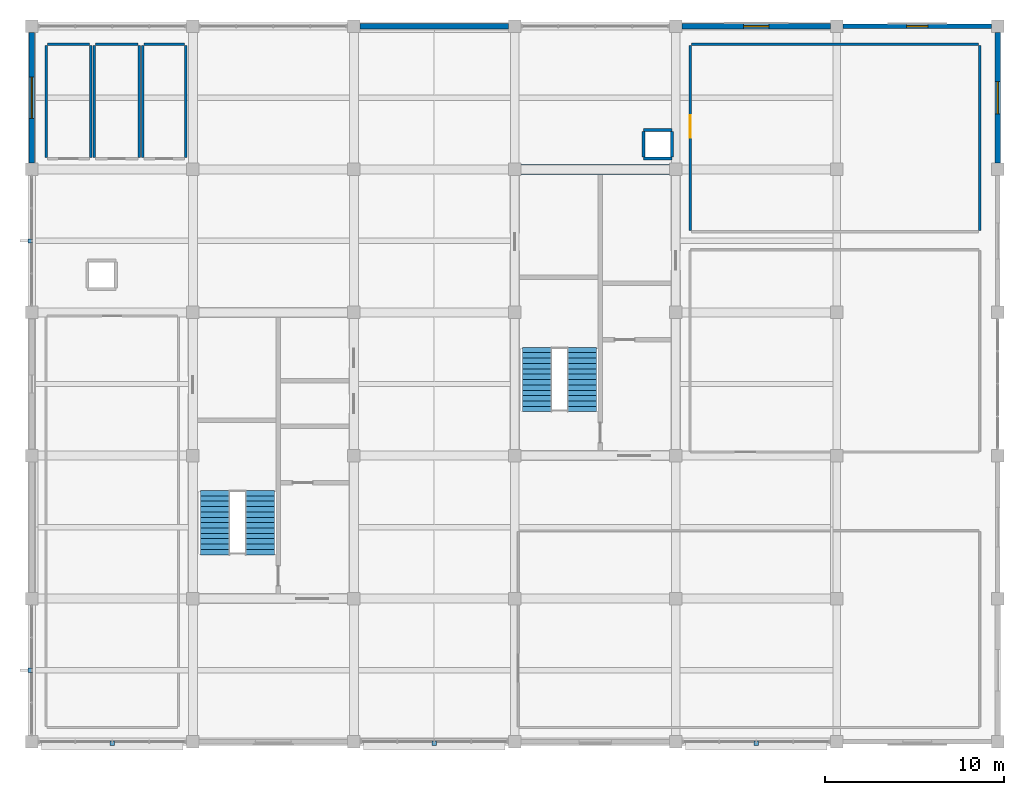
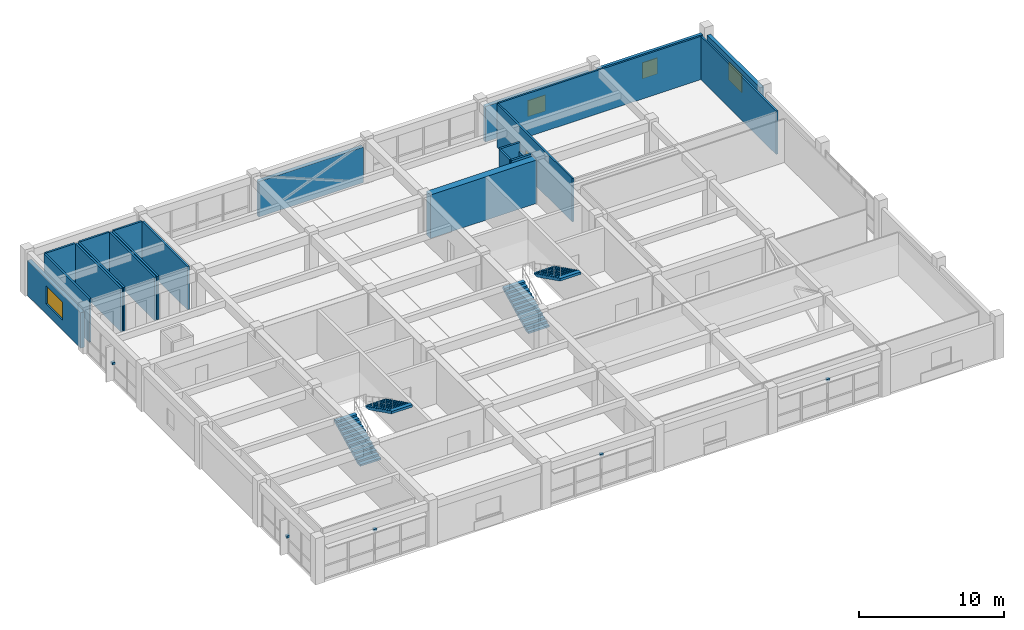
# One storey, part 12 of 13: 22 walls, 5 discrete accessories, 4 stair flights, 4 windows, 1 door, 5 openings, 2 elements without a shape of their own.
"""IFC4 building model written with IfcOpenShell, lengths in metres."""

from ifc_helpers import new_model, si_unit, direction, frame, frame_2d, origin, origin_2d, place, context, subcontext, project, spatial, polyline, rectangle, outline, extrude, material, layer, layer_set, type_object, element, fill, aggregate, save


model = new_model("IFC4")

# Units and contexts
model_context = context("Model", 3, precision=1e-05, world=origin(), true_north=direction((0.0, 1.0)))
body_context = subcontext(model_context, "Body", "Model", "MODEL_VIEW")
ifc_project = project(units=[si_unit("LENGTHUNIT", "METRE"), si_unit("AREAUNIT", "SQUARE_METRE"), si_unit("VOLUMEUNIT", "CUBIC_METRE"), si_unit("PLANEANGLEUNIT", "RADIAN"), si_unit("MASSUNIT", "GRAM", prefix="KILO")], contexts=[model_context])

# Site, building, storey
site_placement = place(None, origin())
site = spatial("IfcSite", under=ifc_project, at=site_placement, CompositionType="ELEMENT")
building_placement = place(site_placement, origin())
building = spatial("IfcBuilding", under=site, at=building_placement, Name="Zaverband Oceanarium and Marine Research Institute", CompositionType="ELEMENT")
storey_placement = place(building_placement, frame((0.0, 0.0, 64.800048828125)))
storey = spatial("IfcBuildingStorey", under=building, at=storey_placement, Name="L16", CompositionType="ELEMENT", Elevation=64.800048828125)

# Wall
ifc_material_1 = material(Name="Concrete C50/60", Category="concrete")
ifc_layer_1 = layer(ifc_material_1, 0.550048828125, Name="Concrete C50/60")
ifc_layer_set_1 = layer_set([ifc_layer_1], Name="Concrete C50/60")
wall_type_1 = type_object("IfcWallType", Name="CW-01", PredefinedType="SHEAR", material=ifc_layer_set_1)
wall_1_placement = place(storey_placement, frame((36.27490234375, 104.0, 0.0), z_axis=(0.0, 0.0, 1.0), x_axis=(1.0, 0.0, 0.0)))
element("IfcWall", 1, at=wall_1_placement, inside=storey, type_object=wall_type_1, Name="Structural shear wall CW-01", PredefinedType="SHEAR", context=body_context, shape_type="SweptSolid", body=[
    extrude(rectangle(XDim=8.4501953125, YDim=0.550048828125, at=frame_2d((4.22509765625, 0.0))), origin(), (0.0, 0.0, 1.0), 3.64990234375),
])

# Wall, opening, window
ifc_material_2 = material(Name="Concrete C40/50 precast", Category="concrete")
ifc_layer_2 = layer(ifc_material_2, 0.264892578125, Name="Concrete C40/50 precast")
ifc_layer_set_2 = layer_set([ifc_layer_2], Name="Concrete C40/50 precast")
wall_type_2 = type_object("IfcWallType", Name="EW-265", PredefinedType="STANDARD", material=ifc_layer_set_2)
wall_2_placement = place(storey_placement, frame((54.35498046875, 112.0, 0.0), z_axis=(0.0, 0.0, 1.0), x_axis=(1.0, 0.0, 0.0)))
wall_2 = element("IfcWall", 2, at=wall_2_placement, inside=storey, type_object=wall_type_2, Name="Exterior infill wall EW-265", PredefinedType="STANDARD", context=body_context, shape_type="SweptSolid", body=[
    extrude(rectangle(XDim=8.2900390625, YDim=0.264892578125, at=frame_2d((4.14501953125, 0.0))), origin(), (0.0, 0.0, 1.0), 2.97998046875),
])
opening_1_placement = place(wall_2_placement, frame((3.544921875, 0.0, 0.85009765625)))
opening_1 = element("IfcOpeningElement", 3, at=opening_1_placement, cuts=wall_2, Name="Opening WN-1200x1350", PredefinedType="OPENING", context=body_context, shape_type="SweptSolid", body=[
    extrude(rectangle(XDim=1.199951171875, YDim=1.35009765625, at=frame_2d((0.60009765625, 0.675048828125))), frame((0.0, 0.14453125, 0.0), z_axis=(0.0, -1.0, 0.0), x_axis=(1.0, 0.0, 0.0)), (0.0, 0.0, 1.0), 0.288818359375),
])
ifc_material_3 = material(Name="Thermally broken anodized aluminium and solar-control glass", Category="aluminium")
window_type_1 = type_object("IfcWindowType", Name="WN-1200x1350", PartitioningType="SINGLE_PANEL", PredefinedType="WINDOW", material=ifc_material_3)
window_1_placement = place(opening_1_placement, origin())
window_1 = element("IfcWindow", 4, at=window_1_placement, inside=storey, type_object=window_type_1, Name="Fixed / casement exterior window WN-1200x1350", OverallHeight=1.35009765625, OverallWidth=1.199951171875, PartitioningType="SINGLE_PANEL", PredefinedType="WINDOW", context=body_context, shape_type="SweptSolid", body=[
    extrude(rectangle(XDim=1.199951171875, YDim=1.35009765625, at=frame_2d((0.60009765625, 0.675048828125))), frame((0.0, 0.030029296875, 0.0), z_axis=(0.0, -1.0, 0.0), x_axis=(1.0, 0.0, 0.0)), (0.0, 0.0, 1.0), 0.06005859375),
])
fill(opening_1, window_1)

# Wall
ifc_layer_3 = layer(ifc_material_2, 0.2900390625, Name="Concrete C40/50 precast")
ifc_layer_set_3 = layer_set([ifc_layer_3], Name="Concrete C40/50 precast")
wall_type_3 = type_object("IfcWallType", Name="EW-290", PredefinedType="STANDARD", material=ifc_layer_set_3)
wall_3_placement = place(storey_placement, frame((27.35498046875, 112.0, 0.0), z_axis=(0.0, 0.0, 1.0), x_axis=(1.0, 0.0, 0.0)))
element("IfcWall", 5, at=wall_3_placement, inside=storey, type_object=wall_type_3, Name="Exterior infill wall EW-290", PredefinedType="STANDARD", context=body_context, shape_type="SweptSolid", body=[
    extrude(rectangle(XDim=8.2900390625, YDim=0.2900390625, at=frame_2d((4.14501953125, 0.0))), origin(), (0.0, 0.0, 1.0), 2.97998046875),
])

# Wall, opening, window
wall_4_placement = place(storey_placement, frame((45.35498046875, 112.0, 0.0), z_axis=(0.0, 0.0, 1.0), x_axis=(1.0, 0.0, 0.0)))
wall_4 = element("IfcWall", 6, at=wall_4_placement, inside=storey, type_object=wall_type_3, Name="Exterior infill wall EW-290", PredefinedType="STANDARD", context=body_context, shape_type="SweptSolid", body=[
    extrude(rectangle(XDim=8.2900390625, YDim=0.2900390625, at=frame_2d((4.14501953125, 0.0))), origin(), (0.0, 0.0, 1.0), 2.97998046875),
])
opening_2_placement = place(wall_4_placement, frame((3.445068359375, 0.0, 0.85009765625)))
opening_2 = element("IfcOpeningElement", 7, at=opening_2_placement, cuts=wall_4, Name="Opening WN-1400x1350", PredefinedType="OPENING", context=body_context, shape_type="SweptSolid", body=[
    extrude(rectangle(XDim=1.39990234375, YDim=1.35009765625, at=frame_2d((0.699951171875, 0.675048828125))), frame((0.0, 0.156982421875, 0.0), z_axis=(0.0, -1.0, 0.0), x_axis=(1.0, 0.0, 0.0)), (0.0, 0.0, 1.0), 0.31396484375),
])
window_type_2 = type_object("IfcWindowType", Name="WN-1400x1350", PartitioningType="SINGLE_PANEL", PredefinedType="WINDOW", material=ifc_material_3)
window_2_placement = place(opening_2_placement, origin())
window_2 = element("IfcWindow", 8, at=window_2_placement, inside=storey, type_object=window_type_2, Name="Fixed / casement exterior window WN-1400x1350", OverallHeight=1.35009765625, OverallWidth=1.39990234375, PartitioningType="SINGLE_PANEL", PredefinedType="WINDOW", context=body_context, shape_type="SweptSolid", body=[
    extrude(rectangle(XDim=1.39990234375, YDim=1.35009765625, at=frame_2d((0.699951171875, 0.675048828125))), frame((0.0, 0.030029296875, 0.0), z_axis=(0.0, -1.0, 0.0), x_axis=(1.0, 0.0, 0.0)), (0.0, 0.0, 1.0), 0.06005859375),
])
fill(opening_2, window_2)

wall_5_placement = place(storey_placement, frame((9.0, 104.35498046875, 0.0), z_axis=(0.0, 0.0, 1.0), x_axis=(0.0, 1.0, 0.0)))
wall_5 = element("IfcWall", 9, at=wall_5_placement, inside=storey, type_object=wall_type_3, Name="Exterior infill wall EW-290", PredefinedType="STANDARD", context=body_context, shape_type="SweptSolid", body=[
    extrude(rectangle(XDim=7.2900390625, YDim=0.2900390625, at=frame_2d((3.64501953125, 0.0))), origin(), (0.0, 0.0, 1.0), 2.97998046875),
])
opening_3_placement = place(wall_5_placement, frame((2.4951171875, 0.0, 0.85009765625)))
opening_3 = element("IfcOpeningElement", 10, at=opening_3_placement, cuts=wall_5, Name="Opening WN-2300x1500", PredefinedType="OPENING", context=body_context, shape_type="SweptSolid", body=[
    extrude(rectangle(XDim=2.300048828125, YDim=1.5, at=frame_2d((1.14990234375, 0.75))), frame((0.0, 0.156982421875, 0.0), z_axis=(0.0, -1.0, 0.0), x_axis=(1.0, 0.0, 0.0)), (0.0, 0.0, 1.0), 0.31396484375),
])
window_type_3 = type_object("IfcWindowType", Name="WN-2300x1500", PartitioningType="SINGLE_PANEL", PredefinedType="WINDOW", material=ifc_material_3)
window_3_placement = place(opening_3_placement, origin())
window_3 = element("IfcWindow", 11, at=window_3_placement, inside=storey, type_object=window_type_3, Name="Fixed / casement exterior window WN-2300x1500", OverallHeight=1.5, OverallWidth=2.300048828125, PartitioningType="SINGLE_PANEL", PredefinedType="WINDOW", context=body_context, shape_type="SweptSolid", body=[
    extrude(rectangle(XDim=2.300048828125, YDim=1.5, at=frame_2d((1.14990234375, 0.75))), frame((0.0, 0.030029296875, 0.0), z_axis=(0.0, -1.0, 0.0), x_axis=(1.0, 0.0, 0.0)), (0.0, 0.0, 1.0), 0.06005859375),
])
fill(opening_3, window_3)

wall_6_placement = place(storey_placement, frame((63.0, 104.35498046875, 0.0), z_axis=(0.0, 0.0, 1.0), x_axis=(0.0, 1.0, 0.0)))
wall_6 = element("IfcWall", 12, at=wall_6_placement, inside=storey, type_object=wall_type_3, Name="Exterior infill wall EW-290", PredefinedType="STANDARD", context=body_context, shape_type="SweptSolid", body=[
    extrude(rectangle(XDim=7.2900390625, YDim=0.2900390625, at=frame_2d((3.64501953125, 0.0))), origin(), (0.0, 0.0, 1.0), 2.97998046875),
])
opening_4_placement = place(wall_6_placement, frame((2.7451171875, 0.0, 0.85009765625)))
opening_4 = element("IfcOpeningElement", 13, at=opening_4_placement, cuts=wall_6, Name="Opening WN-1800x1500", PredefinedType="OPENING", context=body_context, shape_type="SweptSolid", body=[
    extrude(rectangle(XDim=1.800048828125, YDim=1.5, at=frame_2d((0.89990234375, 0.75))), frame((0.0, 0.156982421875, 0.0), z_axis=(0.0, -1.0, 0.0), x_axis=(1.0, 0.0, 0.0)), (0.0, 0.0, 1.0), 0.31396484375),
])
window_type_4 = type_object("IfcWindowType", Name="WN-1800x1500", PartitioningType="SINGLE_PANEL", PredefinedType="WINDOW", material=ifc_material_3)
window_4_placement = place(opening_4_placement, origin())
window_4 = element("IfcWindow", 14, at=window_4_placement, inside=storey, type_object=window_type_4, Name="Fixed / casement exterior window WN-1800x1500", OverallHeight=1.5, OverallWidth=1.800048828125, PartitioningType="SINGLE_PANEL", PredefinedType="WINDOW", context=body_context, shape_type="SweptSolid", body=[
    extrude(rectangle(XDim=1.800048828125, YDim=1.5, at=frame_2d((0.89990234375, 0.75))), frame((0.0, 0.030029296875, 0.0), z_axis=(0.0, -1.0, 0.0), x_axis=(1.0, 0.0, 0.0)), (0.0, 0.0, 1.0), 0.06005859375),
])
fill(opening_4, window_4)

# Wall
ifc_material_4 = material(Name="Acoustic classroom partition")
ifc_layer_4 = layer(ifc_material_4, 0.139892578125, Name="Acoustic classroom partition")
ifc_layer_set_4 = layer_set([ifc_layer_4], Name="Acoustic classroom partition")
wall_type_4 = type_object("IfcWallType", Name="PT-140-CL", PredefinedType="PARTITIONING", material=ifc_layer_set_4)
wall_7_placement = place(storey_placement, frame((45.8701171875, 111.0, 0.0), z_axis=(0.0, 0.0, 1.0), x_axis=(1.0, 0.0, 0.0)))
element("IfcWall", 15, at=wall_7_placement, inside=storey, type_object=wall_type_4, Name="Acoustic partition PT-140-CL", PredefinedType="PARTITIONING", context=body_context, shape_type="SweptSolid", body=[
    extrude(rectangle(XDim=16.059814453125, YDim=0.139892578125, at=frame_2d((8.02978515625, 0.0))), origin(), (0.0, 0.0, 1.0), 3.64990234375),
])

# Wall, opening, door
wall_8_placement = place(storey_placement, frame((45.800048828125, 100.570068359375, 0.0), z_axis=(0.0, 0.0, 1.0), x_axis=(0.0, 1.0, 0.0)))
wall_8 = element("IfcWall", 16, at=wall_8_placement, inside=storey, type_object=wall_type_4, Name="Acoustic partition PT-140-CL", PredefinedType="PARTITIONING", context=body_context, shape_type="SweptSolid", body=[
    extrude(rectangle(XDim=10.35986328125, YDim=0.139892578125, at=frame_2d((5.179931640625, 0.0))), origin(), (0.0, 0.0, 1.0), 3.64990234375),
])
opening_5_placement = place(wall_8_placement, frame((5.199951171875, 0.0, 0.0)))
opening_5 = element("IfcOpeningElement", 17, at=opening_5_placement, cuts=wall_8, Name="Opening ID-1250x2120", PredefinedType="OPENING", context=body_context, shape_type="SweptSolid", body=[
    extrude(rectangle(XDim=1.25, YDim=2.1201171875, at=frame_2d((0.625, 1.06005859375))), frame((0.0, 0.08203125, 0.0), z_axis=(0.0, -1.0, 0.0), x_axis=(1.0, 0.0, 0.0)), (0.0, 0.0, 1.0), 0.163818359375),
])
ifc_material_5 = material(Name="Hardwood-veneered acoustic timber", Category="wood")
door_type = type_object("IfcDoorType", Name="ID-1250x2120", OperationType="NOTDEFINED", PredefinedType="DOOR", material=ifc_material_5)
door_placement = place(opening_5_placement, origin())
door = element("IfcDoor", 18, at=door_placement, inside=storey, type_object=door_type, Name="Classroom entrance door ID-1250x2120", OperationType="SINGLE_SWING_LEFT", OverallHeight=2.1201171875, OverallWidth=1.25, PredefinedType="DOOR", context=body_context, shape_type="SweptSolid", body=[
    extrude(rectangle(XDim=1.25, YDim=2.1201171875, at=frame_2d((0.625, 1.06005859375))), frame((0.0, 0.02490234375, 0.0), z_axis=(0.0, -1.0, 0.0), x_axis=(1.0, 0.0, 0.0)), (0.0, 0.0, 1.0), 0.050048828125),
])
fill(opening_5, door)

# Walls
wall_9_placement = place(storey_placement, frame((62.0, 100.570068359375, 0.0), z_axis=(0.0, 0.0, 1.0), x_axis=(0.0, 1.0, 0.0)))
element("IfcWall", 19, at=wall_9_placement, inside=storey, type_object=wall_type_4, Name="Acoustic partition PT-140-CL", PredefinedType="PARTITIONING", context=body_context, shape_type="SweptSolid", body=[
    extrude(rectangle(XDim=10.35986328125, YDim=0.139892578125, at=frame_2d((5.179931640625, 0.0))), origin(), (0.0, 0.0, 1.0), 3.64990234375),
])
ifc_material_6 = material(Name="Ceramic-tiled wet-room blockwork", Category="masonry")
ifc_layer_5 = layer(ifc_material_6, 0.14990234375, Name="Ceramic-tiled wet-room blockwork")
ifc_layer_set_5 = layer_set([ifc_layer_5], Name="Ceramic-tiled wet-room blockwork")
wall_type_5 = type_object("IfcWallType", Name="PT-150-WC", PredefinedType="PARTITIONING", material=ifc_layer_set_5)
wall_10_placement = place(storey_placement, frame((9.875, 111.0, 0.0), z_axis=(0.0, 0.0, 1.0), x_axis=(1.0, 0.0, 0.0)))
element("IfcWall", 20, at=wall_10_placement, inside=storey, type_object=wall_type_5, Name="Internal partition PT-150-WC", PredefinedType="PARTITIONING", context=body_context, shape_type="SweptSolid", body=[
    extrude(rectangle(XDim=2.35009765625, YDim=0.14990234375, at=frame_2d((1.175048828125, 0.0))), origin(), (0.0, 0.0, 1.0), 3.64990234375),
])
for number, where, z_axis, x_axis, name in (
    (21, (9.800048828125, 104.675048828125, 0.0), (0.0, 0.0, 1.0), (0.0, 1.0, 0.0), "Internal partition PT-150-WC"),
    (22, (12.300048828125, 104.675048828125, 0.0), (0.0, 0.0, 1.0), (0.0, 1.0, 0.0), "Internal partition PT-150-WC"),
):
    element("IfcWall", number, at=place(storey_placement, frame(where, z_axis=z_axis, x_axis=x_axis)), inside=storey, type_object=wall_type_5, Name=name, PredefinedType="PARTITIONING", context=body_context, shape_type="SweptSolid", body=[
        extrude(rectangle(XDim=6.25, YDim=0.14990234375, at=frame_2d((3.125, 0.0))), origin(), (0.0, 0.0, 1.0), 3.64990234375),
    ])
wall_11_placement = place(storey_placement, frame((12.574951171875, 111.0, 0.0), z_axis=(0.0, 0.0, 1.0), x_axis=(1.0, 0.0, 0.0)))
element("IfcWall", 23, at=wall_11_placement, inside=storey, type_object=wall_type_5, Name="Internal partition PT-150-WC", PredefinedType="PARTITIONING", context=body_context, shape_type="SweptSolid", body=[
    extrude(rectangle(XDim=2.35009765625, YDim=0.14990234375, at=frame_2d((1.175048828125, 0.0))), origin(), (0.0, 0.0, 1.0), 3.64990234375),
])
for number, where, z_axis, x_axis, name in (
    (24, (12.5, 104.675048828125, 0.0), (0.0, 0.0, 1.0), (0.0, 1.0, 0.0), "Internal partition PT-150-WC"),
    (25, (15.0, 104.675048828125, 0.0), (0.0, 0.0, 1.0), (0.0, 1.0, 0.0), "Internal partition PT-150-WC"),
):
    element("IfcWall", number, at=place(storey_placement, frame(where, z_axis=z_axis, x_axis=x_axis)), inside=storey, type_object=wall_type_5, Name=name, PredefinedType="PARTITIONING", context=body_context, shape_type="SweptSolid", body=[
        extrude(rectangle(XDim=6.25, YDim=0.14990234375, at=frame_2d((3.125, 0.0))), origin(), (0.0, 0.0, 1.0), 3.64990234375),
    ])
wall_12_placement = place(storey_placement, frame((15.27490234375, 111.0, 0.0), z_axis=(0.0, 0.0, 1.0), x_axis=(1.0, 0.0, 0.0)))
element("IfcWall", 26, at=wall_12_placement, inside=storey, type_object=wall_type_5, Name="Internal partition PT-150-WC", PredefinedType="PARTITIONING", context=body_context, shape_type="SweptSolid", body=[
    extrude(rectangle(XDim=2.25, YDim=0.14990234375, at=frame_2d((1.125, 0.0))), origin(), (0.0, 0.0, 1.0), 3.64990234375),
])
for number, where, z_axis, x_axis, name in (
    (27, (15.199951171875, 104.675048828125, 0.0), (0.0, 0.0, 1.0), (0.0, 1.0, 0.0), "Internal partition PT-150-WC"),
    (28, (17.60009765625, 104.675048828125, 0.0), (0.0, 0.0, 1.0), (0.0, 1.0, 0.0), "Internal partition PT-150-WC"),
):
    element("IfcWall", number, at=place(storey_placement, frame(where, z_axis=z_axis, x_axis=x_axis)), inside=storey, type_object=wall_type_5, Name=name, PredefinedType="PARTITIONING", context=body_context, shape_type="SweptSolid", body=[
        extrude(rectangle(XDim=6.25, YDim=0.14990234375, at=frame_2d((3.125, 0.0))), origin(), (0.0, 0.0, 1.0), 3.64990234375),
    ])
ifc_material_7 = material(Name="Corridor rated drywall partition")
ifc_layer_6 = layer(ifc_material_7, 0.1650390625, Name="Corridor rated drywall partition")
ifc_layer_set_6 = layer_set([ifc_layer_6], Name="Corridor rated drywall partition")
wall_type_6 = type_object("IfcWallType", Name="PT-165-CR", PredefinedType="PARTITIONING", material=ifc_layer_set_6)
for number, where, z_axis, x_axis, name in (
    (29, (43.199951171875, 104.60009765625, 0.0), (0.0, 0.0, 1.0), (1.0, 0.0, 0.0), "Internal partition PT-165-CR"),
    (30, (43.199951171875, 106.199951171875, 0.0), (0.0, 0.0, 1.0), (1.0, 0.0, 0.0), "Internal partition PT-165-CR"),
):
    element("IfcWall", number, at=place(storey_placement, frame(where, z_axis=z_axis, x_axis=x_axis)), inside=storey, type_object=wall_type_6, Name=name, PredefinedType="PARTITIONING", context=body_context, shape_type="SweptSolid", body=[
        extrude(rectangle(XDim=1.60009765625, YDim=0.1650390625, at=frame_2d((0.800048828125, 0.0))), origin(), (0.0, 0.0, 1.0), 3.64990234375),
    ])
wall_13_placement = place(storey_placement, frame((43.199951171875, 104.679931640625, 0.0), z_axis=(0.0, 0.0, 1.0), x_axis=(0.0, 1.0, 0.0)))
element("IfcWall", 31, at=wall_13_placement, inside=storey, type_object=wall_type_6, Name="Internal partition PT-165-CR", PredefinedType="PARTITIONING", context=body_context, shape_type="SweptSolid", body=[
    extrude(rectangle(XDim=1.440185546875, YDim=0.1650390625, at=frame_2d((0.72021484375, 0.0))), origin(), (0.0, 0.0, 1.0), 3.64990234375),
])
wall_14_placement = place(storey_placement, frame((44.800048828125, 104.679931640625, 0.0), z_axis=(0.0, 0.0, 1.0), x_axis=(0.0, 1.0, 0.0)))
element("IfcWall", 32, at=wall_14_placement, inside=storey, type_object=wall_type_6, Name="Internal partition PT-165-CR", PredefinedType="PARTITIONING", context=body_context, shape_type="SweptSolid", body=[
    extrude(rectangle(XDim=1.440185546875, YDim=0.1650390625, at=frame_2d((0.72021484375, 0.0))), origin(), (0.0, 0.0, 1.0), 2.89990234375),
])

# Stair, stair flights
ifc_material_8 = material(Name="Concrete C40/50", Category="concrete")
stair_type = type_object("IfcStairType", Name="STR-TWR-1650-3900", PredefinedType="HALF_TURN_STAIR", material=ifc_material_8)
stair_1_placement = place(storey_placement, origin())
stair_1 = element("IfcStair", 33, at=stair_1_placement, inside=storey, type_object=stair_type, Name="Exit Stair ST-01 (L16)", PredefinedType="HALF_TURN_STAIR")
stair_flight_type = type_object("IfcStairFlightType", Name="STR-TWR-1650-3900-FL", PredefinedType="STRAIGHT", material=ifc_material_8)
stair_flight_1_placement = place(storey_placement, frame((19.2548828125, 82.449951171875, 0.0), z_axis=(0.0, 0.0, 1.0), x_axis=(0.0, 1.0, 0.0)))
stair_flight_1 = element("IfcStairFlight", 34, at=stair_flight_1_placement, type_object=stair_flight_type, Name="Reinforced concrete stair flight ST-01-F1", NumberOfRisers=13, NumberOfTreads=12, PredefinedType="STRAIGHT", RiserHeight=0.15, TreadLength=0.3, context=body_context, shape_type="SweptSolid", body=[
    extrude(outline(polyline([(0.0, 0.0), (0.0, 0.14990234375), (0.300048828125, 0.14990234375), (0.300048828125, 0.300048828125), (0.60009765625, 0.300048828125), (0.60009765625, 0.449951171875), (0.89990234375, 0.449951171875), (0.89990234375, 0.60009765625), (1.199951171875, 0.60009765625), (1.199951171875, 0.75), (1.5, 0.75), (1.5, 0.89990234375), (1.800048828125, 0.89990234375), (1.800048828125, 1.050048828125), (2.10009765625, 1.050048828125), (2.10009765625, 1.199951171875), (2.39990234375, 1.199951171875), (2.39990234375, 1.35009765625), (2.699951171875, 1.35009765625), (2.699951171875, 1.5), (3.0, 1.5), (3.0, 1.64990234375), (3.300048828125, 1.64990234375), (3.300048828125, 1.800048828125), (3.60009765625, 1.800048828125), (3.60009765625, 1.949951171875), (3.60009765625, 1.598876953125), (0.40234375, 0.0), (0.0, 0.0)])), frame((0.0, 0.824951171875, 0.0), z_axis=(0.0, -1.0, 0.0), x_axis=(1.0, 0.0, 0.0)), (0.0, 0.0, 1.0), 1.64990234375),
])
stair_flight_2_placement = place(storey_placement, frame((21.7451171875, 86.050048828125, 1.949951171875), z_axis=(0.0, 0.0, 1.0), x_axis=(0.0, -1.0, 0.0)))
stair_flight_2 = element("IfcStairFlight", 35, at=stair_flight_2_placement, type_object=stair_flight_type, Name="Reinforced concrete stair flight ST-01-F2", NumberOfRisers=13, NumberOfTreads=12, PredefinedType="STRAIGHT", RiserHeight=0.15, TreadLength=0.3, context=body_context, shape_type="SweptSolid", body=[
    extrude(outline(polyline([(0.0, 0.0), (0.0, 0.14990234375), (0.300048828125, 0.14990234375), (0.300048828125, 0.300048828125), (0.60009765625, 0.300048828125), (0.60009765625, 0.449951171875), (0.89990234375, 0.449951171875), (0.89990234375, 0.60009765625), (1.199951171875, 0.60009765625), (1.199951171875, 0.75), (1.5, 0.75), (1.5, 0.89990234375), (1.800048828125, 0.89990234375), (1.800048828125, 1.050048828125), (2.10009765625, 1.050048828125), (2.10009765625, 1.199951171875), (2.39990234375, 1.199951171875), (2.39990234375, 1.35009765625), (2.699951171875, 1.35009765625), (2.699951171875, 1.5), (3.0, 1.5), (3.0, 1.64990234375), (3.300048828125, 1.64990234375), (3.300048828125, 1.800048828125), (3.60009765625, 1.800048828125), (3.60009765625, 1.949951171875), (3.60009765625, 1.598876953125), (0.40234375, 0.0), (0.0, 0.0)])), frame((0.0, 0.824951171875, 0.0), z_axis=(0.0, -1.0, 0.0), x_axis=(1.0, 0.0, 0.0)), (0.0, 0.0, 1.0), 1.64990234375),
])
aggregate(stair_1, [stair_flight_1, stair_flight_2])

stair_2_placement = place(storey_placement, origin())
stair_2 = element("IfcStair", 36, at=stair_2_placement, inside=storey, type_object=stair_type, Name="Exit Stair ST-02 (L16)", PredefinedType="HALF_TURN_STAIR")
stair_flight_3_placement = place(storey_placement, frame((37.2548828125, 90.449951171875, 0.0), z_axis=(0.0, 0.0, 1.0), x_axis=(0.0, 1.0, 0.0)))
stair_flight_3 = element("IfcStairFlight", 37, at=stair_flight_3_placement, type_object=stair_flight_type, Name="Reinforced concrete stair flight ST-02-F1", NumberOfRisers=13, NumberOfTreads=12, PredefinedType="STRAIGHT", RiserHeight=0.15, TreadLength=0.3, context=body_context, shape_type="SweptSolid", body=[
    extrude(outline(polyline([(0.0, 0.0), (0.0, 0.14990234375), (0.300048828125, 0.14990234375), (0.300048828125, 0.300048828125), (0.60009765625, 0.300048828125), (0.60009765625, 0.449951171875), (0.89990234375, 0.449951171875), (0.89990234375, 0.60009765625), (1.199951171875, 0.60009765625), (1.199951171875, 0.75), (1.5, 0.75), (1.5, 0.89990234375), (1.800048828125, 0.89990234375), (1.800048828125, 1.050048828125), (2.10009765625, 1.050048828125), (2.10009765625, 1.199951171875), (2.39990234375, 1.199951171875), (2.39990234375, 1.35009765625), (2.699951171875, 1.35009765625), (2.699951171875, 1.5), (3.0, 1.5), (3.0, 1.64990234375), (3.300048828125, 1.64990234375), (3.300048828125, 1.800048828125), (3.60009765625, 1.800048828125), (3.60009765625, 1.949951171875), (3.60009765625, 1.598876953125), (0.40234375, 0.0), (0.0, 0.0)])), frame((0.0, 0.824951171875, 0.0), z_axis=(0.0, -1.0, 0.0), x_axis=(1.0, 0.0, 0.0)), (0.0, 0.0, 1.0), 1.64990234375),
])
stair_flight_4_placement = place(storey_placement, frame((39.7451171875, 94.050048828125, 1.949951171875), z_axis=(0.0, 0.0, 1.0), x_axis=(0.0, -1.0, 0.0)))
stair_flight_4 = element("IfcStairFlight", 38, at=stair_flight_4_placement, type_object=stair_flight_type, Name="Reinforced concrete stair flight ST-02-F2", NumberOfRisers=13, NumberOfTreads=12, PredefinedType="STRAIGHT", RiserHeight=0.15, TreadLength=0.3, context=body_context, shape_type="SweptSolid", body=[
    extrude(outline(polyline([(0.0, 0.0), (0.0, 0.14990234375), (0.300048828125, 0.14990234375), (0.300048828125, 0.300048828125), (0.60009765625, 0.300048828125), (0.60009765625, 0.449951171875), (0.89990234375, 0.449951171875), (0.89990234375, 0.60009765625), (1.199951171875, 0.60009765625), (1.199951171875, 0.75), (1.5, 0.75), (1.5, 0.89990234375), (1.800048828125, 0.89990234375), (1.800048828125, 1.050048828125), (2.10009765625, 1.050048828125), (2.10009765625, 1.199951171875), (2.39990234375, 1.199951171875), (2.39990234375, 1.35009765625), (2.699951171875, 1.35009765625), (2.699951171875, 1.5), (3.0, 1.5), (3.0, 1.64990234375), (3.300048828125, 1.64990234375), (3.300048828125, 1.800048828125), (3.60009765625, 1.800048828125), (3.60009765625, 1.949951171875), (3.60009765625, 1.598876953125), (0.40234375, 0.0), (0.0, 0.0)])), frame((0.0, 0.824951171875, 0.0), z_axis=(0.0, -1.0, 0.0), x_axis=(1.0, 0.0, 0.0)), (0.0, 0.0, 1.0), 1.64990234375),
])
aggregate(stair_2, [stair_flight_3, stair_flight_4])

# Discrete accessories
ifc_material_9 = material(Name="Steel S355", Category="steel")
ifc_layer_7 = layer(ifc_material_9, 0.179931640625, Name="Steel S355")
ifc_layer_set_7 = layer_set([ifc_layer_7], Name="Steel S355")
discrete_accessory_type = type_object("IfcDiscreteAccessoryType", Name="BRK-STL-200", PredefinedType="BRACKET", material=ifc_layer_set_7)
for number, where, z_axis, x_axis, name in (
    (39, (13.5, 71.919921875, 2.75), (0.0, 0.0, 1.0), (1.0, 0.0, 0.0), "Galvanized steel facade fin structural bracket BRK-STL-200"),
    (40, (31.5, 71.919921875, 2.75), (0.0, 0.0, 1.0), (1.0, 0.0, 0.0), "Galvanized steel facade fin structural bracket BRK-STL-200"),
    (41, (49.5, 71.919921875, 2.75), (0.0, 0.0, 1.0), (1.0, 0.0, 0.0), "Galvanized steel facade fin structural bracket BRK-STL-200"),
    (42, (8.919921875, 76.0, 1.31982421875), (0.0, 0.0, 1.0), (1.0, 0.0, 0.0), "Galvanized steel facade fin structural bracket BRK-STL-200"),
    (43, (8.919921875, 100.0, 1.31982421875), (0.0, 0.0, 1.0), (1.0, 0.0, 0.0), "Galvanized steel facade fin structural bracket BRK-STL-200"),
):
    element("IfcDiscreteAccessory", number, at=place(storey_placement, frame(where, z_axis=z_axis, x_axis=x_axis)), inside=storey, type_object=discrete_accessory_type, Name=name, PredefinedType="BRACKET", context=body_context, shape_type="SweptSolid", body=[
        extrude(rectangle(XDim=0.239990234375, YDim=0.239990234375, at=origin_2d()), origin(), (0.0, 0.0, 1.0), 0.179931640625),
    ])

save(model, "model.ifc")
